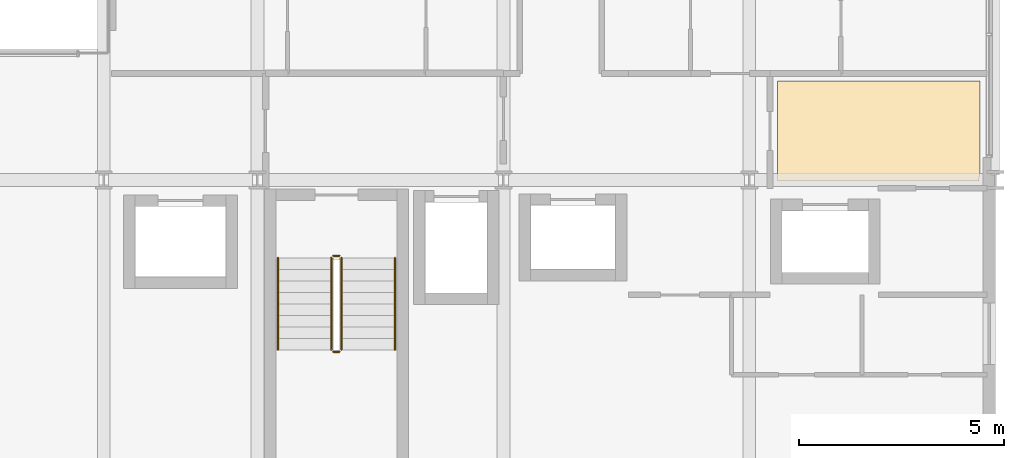
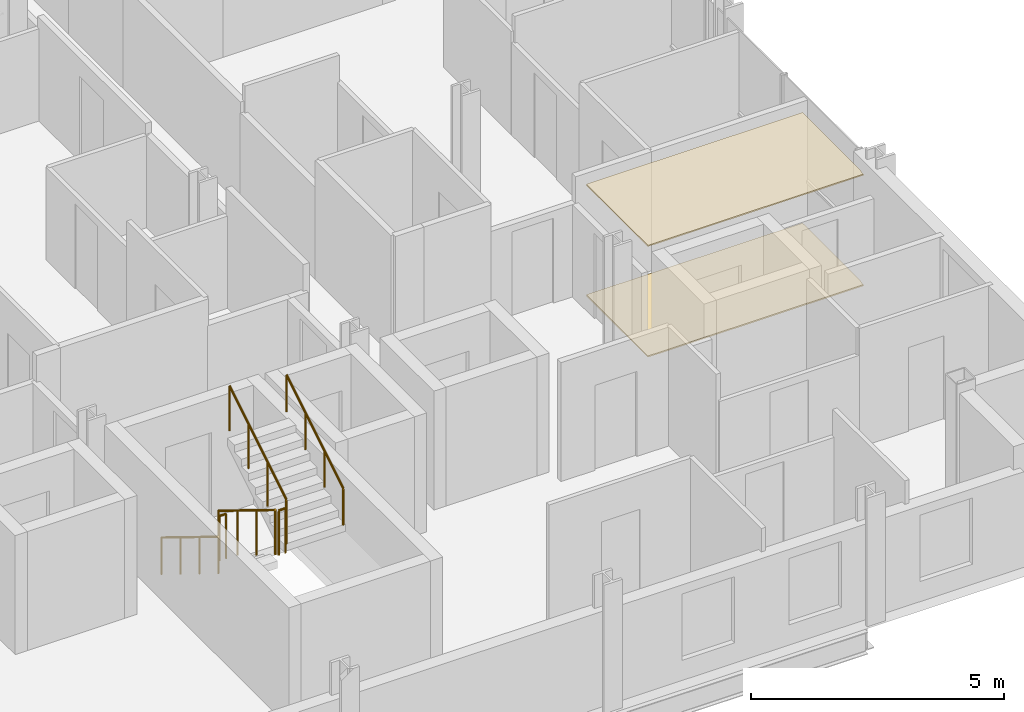
# One storey, part 40 of 41: 6 railings, 2 coverings.
"""IFC4 building model written with IfcOpenShell, lengths in metres."""

from ifc_helpers import new_model, si_unit, direction, frame, origin, origin_2d, place, context, subcontext, project, spatial, polyline, circle, outline, extrude, material, layer, layer_set, type_object, element, save


model = new_model("IFC4")

# Units and contexts
model_context = context("Model", 3, precision=1e-05, world=origin(), true_north=direction((0.0, 1.0)))
body_context = subcontext(model_context, "Body", "Model", "MODEL_VIEW")
ifc_project = project(units=[si_unit("LENGTHUNIT", "METRE"), si_unit("AREAUNIT", "SQUARE_METRE"), si_unit("VOLUMEUNIT", "CUBIC_METRE"), si_unit("PLANEANGLEUNIT", "RADIAN"), si_unit("MASSUNIT", "GRAM", prefix="KILO")], contexts=[model_context])

# Site, building, storey
site_placement = place(None, origin())
site = spatial("IfcSite", under=ifc_project, at=site_placement, CompositionType="ELEMENT")
building_placement = place(site_placement, origin())
building = spatial("IfcBuilding", under=site, at=building_placement, Name="Brevholm Reach", CompositionType="ELEMENT")
storey_placement = place(building_placement, frame((0.0, 0.0, 74.5)))
storey = spatial("IfcBuildingStorey", under=building, at=storey_placement, Name="L21", CompositionType="ELEMENT", Elevation=74.5)

# Coverings
ifc_material_1 = material(Name="Moisture-Resistant Skimmed Gypsum Plasterboard Ceiling", Category="gypsum")
ifc_layer_1 = layer(ifc_material_1, 0.030029296875)
ifc_layer_set_1 = layer_set([ifc_layer_1], Name="Moisture-Resistant Skimmed Gypsum Plasterboard Ceiling")
covering_type_1 = type_object("IfcCoveringType", Name="COV-CLG-GYP", PredefinedType="CEILING", material=ifc_layer_set_1)
covering_1_placement = place(storey_placement, frame((0.0, 0.0, 2.669921875)))
element("IfcCovering", 1, at=covering_1_placement, inside=storey, type_object=covering_type_1, Name="L21 Suspended Ceiling L21-32", PredefinedType="CEILING", context=body_context, shape_type="SweptSolid", body=[
    extrude(outline(polyline([(59.6201171875, 12.419921875), (59.6201171875, 10.123779296875), (59.6171875, 10.1162109375), (59.607666015625, 10.077880859375), (59.601806640625, 10.039306640625), (59.60009765625, 10.0), (59.60107421875, 9.97998046875), (54.68408203125, 9.97998046875), (54.68408203125, 12.419921875), (59.6201171875, 12.419921875)])), origin(), (0.0, 0.0, 1.0), 0.030029296875),
])
ifc_material_2 = material(Name="Honed Portland-Aggregate Resin Terrazzo Flooring", Category="concrete")
ifc_layer_2 = layer(ifc_material_2, 0.031982421875)
ifc_layer_set_2 = layer_set([ifc_layer_2], Name="Honed Portland-Aggregate Resin Terrazzo Flooring")
covering_type_2 = type_object("IfcCoveringType", Name="COV-FLR-TRZ", PredefinedType="FLOORING", material=ifc_layer_set_2)
covering_2_placement = place(storey_placement, origin())
element("IfcCovering", 2, at=covering_2_placement, inside=storey, type_object=covering_type_2, Name="L21 Floor Finish L21-32", PredefinedType="FLOORING", context=body_context, shape_type="SweptSolid", body=[
    extrude(outline(polyline([(59.6201171875, 12.419921875), (59.6201171875, 10.123779296875), (59.6171875, 10.1162109375), (59.607666015625, 10.077880859375), (59.601806640625, 10.039306640625), (59.60009765625, 10.0), (59.60107421875, 9.97998046875), (54.68408203125, 9.97998046875), (54.68408203125, 12.419921875), (59.6201171875, 12.419921875)])), origin(), (0.0, 0.0, 1.0), 0.031982421875),
])

# Railings
ifc_material_3 = material(Name="Brushed Stainless Steel EN 1.4401 Continuous Handrail", Category="steel")
railing_type_1 = type_object("IfcRailingType", Name="RAL-HND-950", PredefinedType="HANDRAIL", material=ifc_material_3)
railing_1_placement = place(storey_placement, frame((42.5, 8.10009765625, 0.172119140625)))
element("IfcRailing", 3, at=railing_1_placement, inside=storey, type_object=railing_type_1, Name="L21 ST-2 stair handrail 1", PredefinedType="HANDRAIL", context=body_context, shape_type="SweptSolid", body=[
    extrude(circle(Radius=0.02392578125, at=origin_2d()), frame((0.0, 0.0, 0.8857421875), z_axis=(0.0, -0.851747552033, 0.523952390591), x_axis=(1.0, 0.0, 0.0)), (0.0, 0.0, 1.0), 2.6298828125),
    extrude(circle(Radius=0.02099609375, at=origin_2d()), origin(), (0.0, 0.0, 1.0), 0.86181640625),
    extrude(circle(Radius=0.02099609375, at=origin_2d()), frame((0.0, -0.74658203125, 0.459228515625)), (0.0, 0.0, 1.0), 0.86181640625),
    extrude(circle(Radius=0.02099609375, at=origin_2d()), frame((0.0, -1.493408203125, 0.918701171875)), (0.0, 0.0, 1.0), 0.86181640625),
    extrude(circle(Radius=0.02099609375, at=origin_2d()), frame((0.0, -2.239990234375, 1.3779296875)), (0.0, 0.0, 1.0), 0.86181640625),
])
railing_2_placement = place(storey_placement, frame((45.35009765625, 5.860107421875, 1.72216796875)))
element("IfcRailing", 4, at=railing_2_placement, inside=storey, type_object=railing_type_1, Name="L21 ST-2 stair handrail 2", PredefinedType="HANDRAIL", context=body_context, shape_type="SweptSolid", body=[
    extrude(circle(Radius=0.02392578125, at=origin_2d()), frame((0.0, 0.0, 0.8857421875), z_axis=(0.0, 0.851747552033, 0.523952390591), x_axis=(-1.0, 0.0, 0.0)), (0.0, 0.0, 1.0), 2.6298828125),
    extrude(circle(Radius=0.02099609375, at=origin_2d()), origin(), (0.0, 0.0, 1.0), 0.86181640625),
    extrude(circle(Radius=0.02099609375, at=origin_2d()), frame((0.0, 0.74658203125, 0.459228515625)), (0.0, 0.0, 1.0), 0.86181640625),
    extrude(circle(Radius=0.02099609375, at=origin_2d()), frame((0.0, 1.493408203125, 0.918701171875)), (0.0, 0.0, 1.0), 0.86181640625),
    extrude(circle(Radius=0.02099609375, at=origin_2d()), frame((0.0, 2.239990234375, 1.3779296875)), (0.0, 0.0, 1.0), 0.86181640625),
])
ifc_material_4 = material(Name="Painted Tubular Galvanised Steel S275JR Stair Guard", Category="steel")
railing_type_2 = type_object("IfcRailingType", Name="RAL-STG-1120", PredefinedType="BALUSTRADE", material=ifc_material_4)
railing_3_placement = place(storey_placement, frame((43.800048828125, 8.10009765625, 0.172119140625)))
element("IfcRailing", 5, at=railing_3_placement, inside=storey, type_object=railing_type_2, Name="L21 ST-2 stair guard 1", PredefinedType="BALUSTRADE", context=body_context, shape_type="SweptSolid", body=[
    extrude(circle(Radius=0.02392578125, at=origin_2d()), frame((0.0, 0.0, 1.076171875), z_axis=(0.0, -0.851747552033, 0.523952390591), x_axis=(1.0, 0.0, 0.0)), (0.0, 0.0, 1.0), 2.6298828125),
    extrude(circle(Radius=0.02099609375, at=origin_2d()), origin(), (0.0, 0.0, 1.0), 1.052001953125),
    extrude(circle(Radius=0.02099609375, at=origin_2d()), frame((0.0, -0.74658203125, 0.459228515625)), (0.0, 0.0, 1.0), 1.052001953125),
    extrude(circle(Radius=0.02099609375, at=origin_2d()), frame((0.0, -1.493408203125, 0.918701171875)), (0.0, 0.0, 1.0), 1.052001953125),
    extrude(circle(Radius=0.02099609375, at=origin_2d()), frame((0.0, -2.239990234375, 1.3779296875)), (0.0, 0.0, 1.0), 1.052001953125),
])
railing_4_placement = place(storey_placement, frame((43.85009765625, 5.81005859375, 1.550048828125)))
element("IfcRailing", 6, at=railing_4_placement, inside=storey, type_object=railing_type_2, Name="L21 ST-2 stair guard 2", PredefinedType="BALUSTRADE", context=body_context, shape_type="SweptSolid", body=[
    extrude(circle(Radius=0.02392578125, at=origin_2d()), frame((0.0, 0.0, 1.076171875), z_axis=(1.0, 0.0, 0.0), x_axis=(0.0, 1.0, 0.0)), (0.0, 0.0, 1.0), 0.14990234375),
    extrude(circle(Radius=0.02099609375, at=origin_2d()), origin(), (0.0, 0.0, 1.0), 1.052001953125),
    extrude(circle(Radius=0.02099609375, at=origin_2d()), frame((0.14990234375, 0.0, 0.0)), (0.0, 0.0, 1.0), 1.052001953125),
])
railing_5_placement = place(storey_placement, frame((44.050048828125, 5.860107421875, 1.72216796875)))
element("IfcRailing", 7, at=railing_5_placement, inside=storey, type_object=railing_type_2, Name="L21 ST-2 stair guard 3", PredefinedType="BALUSTRADE", context=body_context, shape_type="SweptSolid", body=[
    extrude(circle(Radius=0.02392578125, at=origin_2d()), frame((0.0, 0.0, 1.076171875), z_axis=(0.0, 0.851747552033, 0.523952390591), x_axis=(-1.0, 0.0, 0.0)), (0.0, 0.0, 1.0), 2.6298828125),
    extrude(circle(Radius=0.02099609375, at=origin_2d()), origin(), (0.0, 0.0, 1.0), 1.052001953125),
    extrude(circle(Radius=0.02099609375, at=origin_2d()), frame((0.0, 0.74658203125, 0.459228515625)), (0.0, 0.0, 1.0), 1.052001953125),
    extrude(circle(Radius=0.02099609375, at=origin_2d()), frame((0.0, 1.493408203125, 0.918701171875)), (0.0, 0.0, 1.0), 1.052001953125),
    extrude(circle(Radius=0.02099609375, at=origin_2d()), frame((0.0, 2.239990234375, 1.3779296875)), (0.0, 0.0, 1.0), 1.052001953125),
])
railing_6_placement = place(storey_placement, frame((43.85009765625, 8.14990234375, 0.0)))
element("IfcRailing", 8, at=railing_6_placement, inside=storey, type_object=railing_type_2, Name="L21 ST-2 stair guard 4", PredefinedType="BALUSTRADE", context=body_context, shape_type="SweptSolid", body=[
    extrude(circle(Radius=0.02392578125, at=origin_2d()), frame((0.0, 0.0, 1.076171875), z_axis=(1.0, 0.0, 0.0), x_axis=(0.0, 1.0, 0.0)), (0.0, 0.0, 1.0), 0.14990234375),
    extrude(circle(Radius=0.02099609375, at=origin_2d()), origin(), (0.0, 0.0, 1.0), 1.052001953125),
    extrude(circle(Radius=0.02099609375, at=origin_2d()), frame((0.14990234375, 0.0, 0.0)), (0.0, 0.0, 1.0), 1.052001953125),
])

save(model, "model.ifc")
